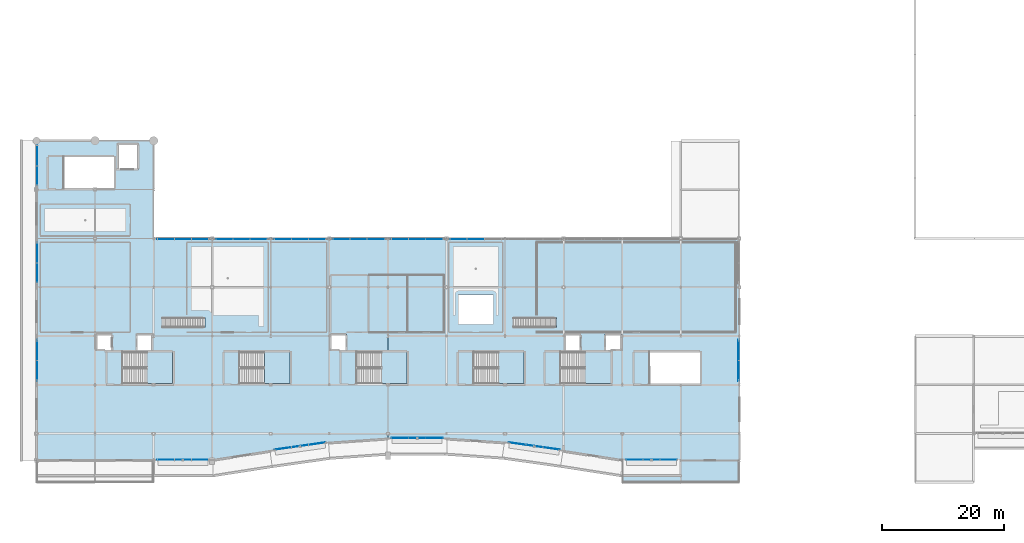
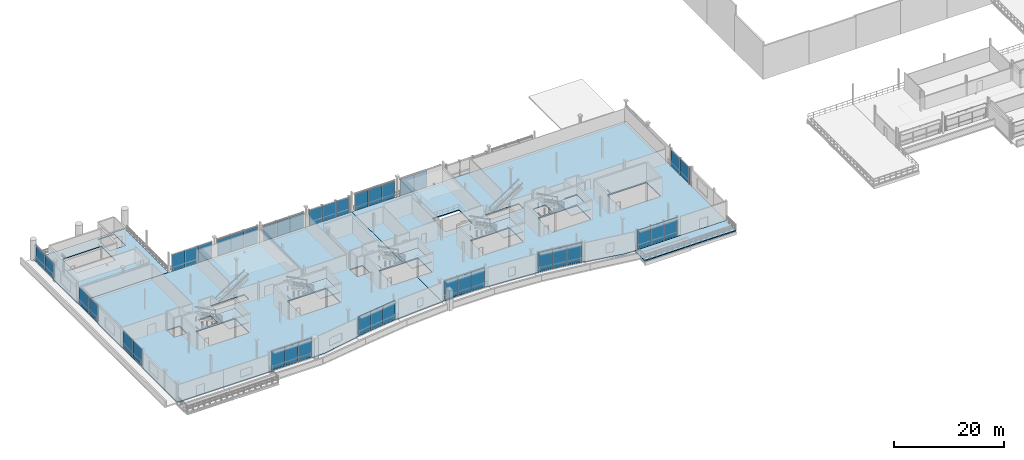
# One storey, part 34 of 59: 40 plates, 9 slabs, 20 elements without a shape of their own.
"""IFC4 building model written with IfcOpenShell, lengths in metres."""

from ifc_helpers import new_model, si_unit, direction, frame, origin, origin_2d, place, context, subcontext, project, spatial, polyline, rectangle, outline, extrude, material, layer, layer_set, type_object, element, aggregate, save


model = new_model("IFC4")

# Units and contexts
model_context = context("Model", 3, precision=1e-05, world=origin(), true_north=direction((0.0, 1.0)))
body_context = subcontext(model_context, "Body", "Model", "MODEL_VIEW")
ifc_project = project(units=[si_unit("LENGTHUNIT", "METRE"), si_unit("AREAUNIT", "SQUARE_METRE"), si_unit("VOLUMEUNIT", "CUBIC_METRE"), si_unit("PLANEANGLEUNIT", "RADIAN"), si_unit("MASSUNIT", "GRAM", prefix="KILO")], contexts=[model_context])

# Site, building, storey
site_placement = place(None, origin())
site = spatial("IfcSite", under=ifc_project, at=site_placement, CompositionType="ELEMENT")
building_placement = place(site_placement, origin())
building = spatial("IfcBuilding", under=site, at=building_placement, Name="Danafjord Basin Convention Centre", CompositionType="ELEMENT")
storey_placement = place(building_placement, frame((0.0, 0.0, 15.89990234375)))
storey = spatial("IfcBuildingStorey", under=building, at=storey_placement, Name="L03", CompositionType="ELEMENT", Elevation=15.89990234375)

# Curtain wall, plates
ifc_material_1 = material(Name="Anodised aluminium and triple glazing", Category="aluminium")
curtain_wall_type = type_object("IfcCurtainWallType", Name="CW-CW-TERR", PredefinedType="NOTDEFINED", material=ifc_material_1)
curtain_wall_1_placement = place(storey_placement, origin())
curtain_wall_1 = element("IfcCurtainWall", 1, at=curtain_wall_1_placement, inside=storey, type_object=curtain_wall_type, Name="L03 CW-TERR unitised curtain wall bay 28", PredefinedType="NOTDEFINED")
ifc_material_2 = material(Name="Triple low-E insulated glazing", Category="glass")
ifc_layer_1 = layer(ifc_material_2, 0.0380859375)
ifc_layer_set_1 = layer_set([ifc_layer_1], Name="Triple low-E insulated glazing")
plate_type_1 = type_object("IfcPlateType", Name="PLT-GP-38", PredefinedType="CURTAIN_PANEL", material=ifc_layer_set_1)
plate_1_placement = place(storey_placement, frame((21.199951171875, 3.719970703125, 0.08837890625), z_axis=(0.0, 0.0, 1.0), x_axis=(1.0, 0.0, 0.0)))
plate_1 = element("IfcPlate", 2, at=plate_1_placement, type_object=plate_type_1, Name="CW-L03-028 vision glazing unit 1", PredefinedType="CURTAIN_PANEL", context=body_context, shape_type="SweptSolid", body=[
    extrude(rectangle(XDim=2.743896484375, YDim=0.0380859375, at=origin_2d()), origin(), (0.0, 0.0, 1.0), 4.097900390625),
])
plate_2_placement = place(storey_placement, frame((24.0, 3.719970703125, 0.08837890625), z_axis=(0.0, 0.0, 1.0), x_axis=(1.0, 0.0, 0.0)))
plate_2 = element("IfcPlate", 3, at=plate_2_placement, type_object=plate_type_1, Name="CW-L03-028 vision glazing unit 2", PredefinedType="CURTAIN_PANEL", context=body_context, shape_type="SweptSolid", body=[
    extrude(rectangle(XDim=2.743896484375, YDim=0.0380859375, at=origin_2d()), origin(), (0.0, 0.0, 1.0), 4.097900390625),
])
plate_3_placement = place(storey_placement, frame((26.800048828125, 3.719970703125, 0.08837890625), z_axis=(0.0, 0.0, 1.0), x_axis=(1.0, 0.0, 0.0)))
plate_3 = element("IfcPlate", 4, at=plate_3_placement, type_object=plate_type_1, Name="CW-L03-028 vision glazing unit 3", PredefinedType="CURTAIN_PANEL", context=body_context, shape_type="SweptSolid", body=[
    extrude(rectangle(XDim=2.743896484375, YDim=0.0380859375, at=origin_2d()), origin(), (0.0, 0.0, 1.0), 4.097900390625),
])
aggregate(curtain_wall_1, [plate_1, plate_2, plate_3])

curtain_wall_2_placement = place(storey_placement, origin())
curtain_wall_2 = element("IfcCurtainWall", 5, at=curtain_wall_2_placement, inside=storey, type_object=curtain_wall_type, Name="L03 CW-TERR unitised curtain wall bay 30", PredefinedType="NOTDEFINED")
plate_4_placement = place(storey_placement, frame((59.60009765625, 7.300048828125, 0.08837890625), z_axis=(0.0, 0.0, 1.0), x_axis=(1.0, 0.0, 0.0)))
plate_4 = element("IfcPlate", 6, at=plate_4_placement, type_object=plate_type_1, Name="CW-L03-030 vision glazing unit 1", PredefinedType="CURTAIN_PANEL", context=body_context, shape_type="SweptSolid", body=[
    extrude(rectangle(XDim=2.743896484375, YDim=0.0380859375, at=origin_2d()), origin(), (0.0, 0.0, 1.0), 4.097900390625),
])
plate_5_placement = place(storey_placement, frame((62.39990234375, 7.300048828125, 0.08837890625), z_axis=(0.0, 0.0, 1.0), x_axis=(1.0, 0.0, 0.0)))
plate_5 = element("IfcPlate", 7, at=plate_5_placement, type_object=plate_type_1, Name="CW-L03-030 vision glazing unit 2", PredefinedType="CURTAIN_PANEL", context=body_context, shape_type="SweptSolid", body=[
    extrude(rectangle(XDim=2.743896484375, YDim=0.0380859375, at=origin_2d()), origin(), (0.0, 0.0, 1.0), 4.097900390625),
])
plate_6_placement = place(storey_placement, frame((65.199951171875, 7.300048828125, 0.08837890625), z_axis=(0.0, 0.0, 1.0), x_axis=(1.0, 0.0, 0.0)))
plate_6 = element("IfcPlate", 8, at=plate_6_placement, type_object=plate_type_1, Name="CW-L03-030 vision glazing unit 3", PredefinedType="CURTAIN_PANEL", context=body_context, shape_type="SweptSolid", body=[
    extrude(rectangle(XDim=2.743896484375, YDim=0.0380859375, at=origin_2d()), origin(), (0.0, 0.0, 1.0), 4.097900390625),
])
aggregate(curtain_wall_2, [plate_4, plate_5, plate_6])

curtain_wall_3_placement = place(storey_placement, origin())
curtain_wall_3 = element("IfcCurtainWall", 9, at=curtain_wall_3_placement, inside=storey, type_object=curtain_wall_type, Name="L03 CW-TERR unitised curtain wall bay 32", PredefinedType="NOTDEFINED")
plate_7_placement = place(storey_placement, frame((98.0, 3.719970703125, 0.08837890625), z_axis=(0.0, 0.0, 1.0), x_axis=(1.0, 0.0, 0.0)))
plate_7 = element("IfcPlate", 10, at=plate_7_placement, type_object=plate_type_1, Name="CW-L03-032 vision glazing unit 1", PredefinedType="CURTAIN_PANEL", context=body_context, shape_type="SweptSolid", body=[
    extrude(rectangle(XDim=2.743896484375, YDim=0.0380859375, at=origin_2d()), origin(), (0.0, 0.0, 1.0), 4.097900390625),
])
plate_8_placement = place(storey_placement, frame((100.800048828125, 3.719970703125, 0.08837890625), z_axis=(0.0, 0.0, 1.0), x_axis=(1.0, 0.0, 0.0)))
plate_8 = element("IfcPlate", 11, at=plate_8_placement, type_object=plate_type_1, Name="CW-L03-032 vision glazing unit 2", PredefinedType="CURTAIN_PANEL", context=body_context, shape_type="SweptSolid", body=[
    extrude(rectangle(XDim=2.743896484375, YDim=0.0380859375, at=origin_2d()), origin(), (0.0, 0.0, 1.0), 4.097900390625),
])
plate_9_placement = place(storey_placement, frame((103.60009765625, 3.719970703125, 0.08837890625), z_axis=(0.0, 0.0, 1.0), x_axis=(1.0, 0.0, 0.0)))
plate_9 = element("IfcPlate", 12, at=plate_9_placement, type_object=plate_type_1, Name="CW-L03-032 vision glazing unit 3", PredefinedType="CURTAIN_PANEL", context=body_context, shape_type="SweptSolid", body=[
    extrude(rectangle(XDim=2.743896484375, YDim=0.0380859375, at=origin_2d()), origin(), (0.0, 0.0, 1.0), 4.097900390625),
])
aggregate(curtain_wall_3, [plate_7, plate_8, plate_9])

curtain_wall_4_placement = place(storey_placement, origin())
curtain_wall_4 = element("IfcCurtainWall", 13, at=curtain_wall_4_placement, inside=storey, type_object=curtain_wall_type, Name="L03 CW-TERR unitised curtain wall bay 74", PredefinedType="NOTDEFINED")
plate_10_placement = place(storey_placement, frame((26.800048828125, 39.8798828125, 0.087890625), z_axis=(0.0, 0.0, 1.0), x_axis=(-1.0, 0.0, 0.0)))
plate_10 = element("IfcPlate", 14, at=plate_10_placement, type_object=plate_type_1, Name="CW-L03-074 vision glazing unit 1", PredefinedType="CURTAIN_PANEL", context=body_context, shape_type="SweptSolid", body=[
    extrude(rectangle(XDim=2.743896484375, YDim=0.0380859375, at=origin_2d()), origin(), (0.0, 0.0, 1.0), 3.658935546875),
])
plate_11_placement = place(storey_placement, frame((24.0, 39.8798828125, 0.087890625), z_axis=(0.0, 0.0, 1.0), x_axis=(-1.0, 0.0, 0.0)))
plate_11 = element("IfcPlate", 15, at=plate_11_placement, type_object=plate_type_1, Name="CW-L03-074 vision glazing unit 2", PredefinedType="CURTAIN_PANEL", context=body_context, shape_type="SweptSolid", body=[
    extrude(rectangle(XDim=2.743896484375, YDim=0.0380859375, at=origin_2d()), origin(), (0.0, 0.0, 1.0), 3.658935546875),
])
plate_12_placement = place(storey_placement, frame((21.199951171875, 39.8798828125, 0.087890625), z_axis=(0.0, 0.0, 1.0), x_axis=(-1.0, 0.0, 0.0)))
plate_12 = element("IfcPlate", 16, at=plate_12_placement, type_object=plate_type_1, Name="CW-L03-074 vision glazing unit 3", PredefinedType="CURTAIN_PANEL", context=body_context, shape_type="SweptSolid", body=[
    extrude(rectangle(XDim=2.743896484375, YDim=0.0380859375, at=origin_2d()), origin(), (0.0, 0.0, 1.0), 3.658935546875),
])
aggregate(curtain_wall_4, [plate_10, plate_11, plate_12])

curtain_wall_5_placement = place(storey_placement, origin())
curtain_wall_5 = element("IfcCurtainWall", 17, at=curtain_wall_5_placement, inside=storey, type_object=curtain_wall_type, Name="L03 CW-TERR unitised curtain wall bay 76", PredefinedType="NOTDEFINED")
plate_13_placement = place(storey_placement, frame((46.0, 39.8798828125, 0.087890625), z_axis=(0.0, 0.0, 1.0), x_axis=(-1.0, 0.0, 0.0)))
plate_13 = element("IfcPlate", 18, at=plate_13_placement, type_object=plate_type_1, Name="CW-L03-076 vision glazing unit 1", PredefinedType="CURTAIN_PANEL", context=body_context, shape_type="SweptSolid", body=[
    extrude(rectangle(XDim=2.743896484375, YDim=0.0380859375, at=origin_2d()), origin(), (0.0, 0.0, 1.0), 3.280029296875),
])
plate_14_placement = place(storey_placement, frame((43.199951171875, 39.8798828125, 0.087890625), z_axis=(0.0, 0.0, 1.0), x_axis=(-1.0, 0.0, 0.0)))
plate_14 = element("IfcPlate", 19, at=plate_14_placement, type_object=plate_type_1, Name="CW-L03-076 vision glazing unit 2", PredefinedType="CURTAIN_PANEL", context=body_context, shape_type="SweptSolid", body=[
    extrude(rectangle(XDim=2.743896484375, YDim=0.0380859375, at=origin_2d()), origin(), (0.0, 0.0, 1.0), 3.280029296875),
])
plate_15_placement = place(storey_placement, frame((40.39990234375, 39.8798828125, 0.087890625), z_axis=(0.0, 0.0, 1.0), x_axis=(-1.0, 0.0, 0.0)))
plate_15 = element("IfcPlate", 20, at=plate_15_placement, type_object=plate_type_1, Name="CW-L03-076 vision glazing unit 3", PredefinedType="CURTAIN_PANEL", context=body_context, shape_type="SweptSolid", body=[
    extrude(rectangle(XDim=2.743896484375, YDim=0.0380859375, at=origin_2d()), origin(), (0.0, 0.0, 1.0), 3.280029296875),
])
aggregate(curtain_wall_5, [plate_13, plate_14, plate_15])

curtain_wall_6_placement = place(storey_placement, origin())
curtain_wall_6 = element("IfcCurtainWall", 21, at=curtain_wall_6_placement, inside=storey, type_object=curtain_wall_type, Name="L03 CW-TERR unitised curtain wall bay 78", PredefinedType="NOTDEFINED")
plate_16_placement = place(storey_placement, frame((65.199951171875, 39.8798828125, 0.087890625), z_axis=(0.0, 0.0, 1.0), x_axis=(-1.0, 0.0, 0.0)))
plate_16 = element("IfcPlate", 22, at=plate_16_placement, type_object=plate_type_1, Name="CW-L03-078 vision glazing unit 1", PredefinedType="CURTAIN_PANEL", context=body_context, shape_type="SweptSolid", body=[
    extrude(rectangle(XDim=2.743896484375, YDim=0.0380859375, at=origin_2d()), origin(), (0.0, 0.0, 1.0), 3.679931640625),
])
plate_17_placement = place(storey_placement, frame((62.39990234375, 39.8798828125, 0.087890625), z_axis=(0.0, 0.0, 1.0), x_axis=(-1.0, 0.0, 0.0)))
plate_17 = element("IfcPlate", 23, at=plate_17_placement, type_object=plate_type_1, Name="CW-L03-078 vision glazing unit 2", PredefinedType="CURTAIN_PANEL", context=body_context, shape_type="SweptSolid", body=[
    extrude(rectangle(XDim=2.743896484375, YDim=0.0380859375, at=origin_2d()), origin(), (0.0, 0.0, 1.0), 3.679931640625),
])
plate_18_placement = place(storey_placement, frame((59.60009765625, 39.8798828125, 0.087890625), z_axis=(0.0, 0.0, 1.0), x_axis=(-1.0, 0.0, 0.0)))
plate_18 = element("IfcPlate", 24, at=plate_18_placement, type_object=plate_type_1, Name="CW-L03-078 vision glazing unit 3", PredefinedType="CURTAIN_PANEL", context=body_context, shape_type="SweptSolid", body=[
    extrude(rectangle(XDim=2.743896484375, YDim=0.0380859375, at=origin_2d()), origin(), (0.0, 0.0, 1.0), 3.679931640625),
])
aggregate(curtain_wall_6, [plate_16, plate_17, plate_18])

curtain_wall_7_placement = place(storey_placement, origin())
curtain_wall_7 = element("IfcCurtainWall", 25, at=curtain_wall_7_placement, inside=storey, type_object=curtain_wall_type, Name="L03 CW-TERR unitised curtain wall bay 82", PredefinedType="NOTDEFINED")
plate_19_placement = place(storey_placement, frame((0.1201171875, 21.699951171875, 0.087890625), z_axis=(0.0, 0.0, 1.0), x_axis=(0.0, -1.0, 0.0)))
plate_19 = element("IfcPlate", 26, at=plate_19_placement, type_object=plate_type_1, Name="CW-L03-082 vision glazing unit 1", PredefinedType="CURTAIN_PANEL", context=body_context, shape_type="SweptSolid", body=[
    extrude(rectangle(XDim=3.343994140625, YDim=0.0380859375, at=origin_2d()), origin(), (0.0, 0.0, 1.0), 3.679931640625),
])
plate_20_placement = place(storey_placement, frame((0.1201171875, 18.300048828125, 0.087890625), z_axis=(0.0, 0.0, 1.0), x_axis=(0.0, -1.0, 0.0)))
plate_20 = element("IfcPlate", 27, at=plate_20_placement, type_object=plate_type_1, Name="CW-L03-082 vision glazing unit 2", PredefinedType="CURTAIN_PANEL", context=body_context, shape_type="SweptSolid", body=[
    extrude(rectangle(XDim=3.343994140625, YDim=0.0380859375, at=origin_2d()), origin(), (0.0, 0.0, 1.0), 3.679931640625),
])
aggregate(curtain_wall_7, [plate_19, plate_20])

curtain_wall_8_placement = place(storey_placement, origin())
curtain_wall_8 = element("IfcCurtainWall", 28, at=curtain_wall_8_placement, inside=storey, type_object=curtain_wall_type, Name="L03 CW-TERR unitised curtain wall bay 84", PredefinedType="NOTDEFINED")
plate_21_placement = place(storey_placement, frame((0.1201171875, 53.550048828125, 0.087890625), z_axis=(0.0, 0.0, 1.0), x_axis=(0.0, -1.0, 0.0)))
plate_21 = element("IfcPlate", 29, at=plate_21_placement, type_object=plate_type_1, Name="CW-L03-084 vision glazing unit 1", PredefinedType="CURTAIN_PANEL", context=body_context, shape_type="SweptSolid", body=[
    extrude(rectangle(XDim=3.243896484375, YDim=0.0380859375, at=origin_2d()), origin(), (0.0, 0.0, 1.0), 3.239013671875),
])
plate_22_placement = place(storey_placement, frame((0.1201171875, 50.25, 0.087890625), z_axis=(0.0, 0.0, 1.0), x_axis=(0.0, -1.0, 0.0)))
plate_22 = element("IfcPlate", 30, at=plate_22_placement, type_object=plate_type_1, Name="CW-L03-084 vision glazing unit 2", PredefinedType="CURTAIN_PANEL", context=body_context, shape_type="SweptSolid", body=[
    extrude(rectangle(XDim=3.243896484375, YDim=0.0380859375, at=origin_2d()), origin(), (0.0, 0.0, 1.0), 3.239013671875),
])
aggregate(curtain_wall_8, [plate_21, plate_22])

curtain_wall_9_placement = place(storey_placement, origin())
curtain_wall_9 = element("IfcCurtainWall", 31, at=curtain_wall_9_placement, inside=storey, type_object=curtain_wall_type, Name="L03 CW-TERR unitised curtain wall bay 29", PredefinedType="NOTDEFINED")
ifc_layer_2 = layer(ifc_material_2, 0.048095703125)
ifc_layer_set_2 = layer_set([ifc_layer_2], Name="Triple low-E insulated glazing")
plate_type_2 = type_object("IfcPlateType", Name="PLT-GP-48", PredefinedType="CURTAIN_PANEL", material=ifc_layer_set_2)
plate_23_placement = place(storey_placement, frame((40.36962890625, 5.562255859375, 0.08837890625), z_axis=(0.0, 0.0, 1.0), x_axis=(0.990128157327, 0.140165017276, 0.0)))
plate_23 = element("IfcPlate", 32, at=plate_23_placement, type_object=plate_type_2, Name="CW-L03-029 vision glazing unit 1", PredefinedType="CURTAIN_PANEL", context=body_context, shape_type="SweptSolid", body=[
    extrude(rectangle(XDim=2.77587890625, YDim=0.048095703125, at=origin_2d()), origin(), (0.0, 0.0, 1.0), 4.097900390625),
])
plate_24_placement = place(storey_placement, frame((43.173583984375, 5.958984375, 0.08837890625), z_axis=(0.0, 0.0, 1.0), x_axis=(0.990128157327, 0.140165017276, 0.0)))
plate_24 = element("IfcPlate", 33, at=plate_24_placement, type_object=plate_type_2, Name="CW-L03-029 vision glazing unit 2", PredefinedType="CURTAIN_PANEL", context=body_context, shape_type="SweptSolid", body=[
    extrude(rectangle(XDim=2.77587890625, YDim=0.048095703125, at=origin_2d()), origin(), (0.0, 0.0, 1.0), 4.097900390625),
])
plate_25_placement = place(storey_placement, frame((45.9775390625, 6.35595703125, 0.08837890625), z_axis=(0.0, 0.0, 1.0), x_axis=(0.990128157327, 0.140165017276, 0.0)))
plate_25 = element("IfcPlate", 34, at=plate_25_placement, type_object=plate_type_2, Name="CW-L03-029 vision glazing unit 3", PredefinedType="CURTAIN_PANEL", context=body_context, shape_type="SweptSolid", body=[
    extrude(rectangle(XDim=2.77587890625, YDim=0.048095703125, at=origin_2d()), origin(), (0.0, 0.0, 1.0), 4.097900390625),
])
aggregate(curtain_wall_9, [plate_23, plate_24, plate_25])

curtain_wall_10_placement = place(storey_placement, origin())
curtain_wall_10 = element("IfcCurtainWall", 35, at=curtain_wall_10_placement, inside=storey, type_object=curtain_wall_type, Name="L03 CW-TERR unitised curtain wall bay 31", PredefinedType="NOTDEFINED")
plate_26_placement = place(storey_placement, frame((78.822509765625, 6.35595703125, 0.08837890625), z_axis=(0.0, 0.0, 1.0), x_axis=(0.990128157327, -0.140165017276, 0.0)))
plate_26 = element("IfcPlate", 36, at=plate_26_placement, type_object=plate_type_2, Name="CW-L03-031 vision glazing unit 1", PredefinedType="CURTAIN_PANEL", context=body_context, shape_type="SweptSolid", body=[
    extrude(rectangle(XDim=2.77587890625, YDim=0.048095703125, at=origin_2d()), origin(), (0.0, 0.0, 1.0), 4.097900390625),
])
plate_27_placement = place(storey_placement, frame((81.62646484375, 5.958984375, 0.08837890625), z_axis=(0.0, 0.0, 1.0), x_axis=(0.990128157327, -0.140165017276, 0.0)))
plate_27 = element("IfcPlate", 37, at=plate_27_placement, type_object=plate_type_2, Name="CW-L03-031 vision glazing unit 2", PredefinedType="CURTAIN_PANEL", context=body_context, shape_type="SweptSolid", body=[
    extrude(rectangle(XDim=2.77587890625, YDim=0.048095703125, at=origin_2d()), origin(), (0.0, 0.0, 1.0), 4.097900390625),
])
plate_28_placement = place(storey_placement, frame((84.430419921875, 5.562255859375, 0.08837890625), z_axis=(0.0, 0.0, 1.0), x_axis=(0.990128157327, -0.140165017276, 0.0)))
plate_28 = element("IfcPlate", 38, at=plate_28_placement, type_object=plate_type_2, Name="CW-L03-031 vision glazing unit 3", PredefinedType="CURTAIN_PANEL", context=body_context, shape_type="SweptSolid", body=[
    extrude(rectangle(XDim=2.77587890625, YDim=0.048095703125, at=origin_2d()), origin(), (0.0, 0.0, 1.0), 4.097900390625),
])
aggregate(curtain_wall_10, [plate_26, plate_27, plate_28])

curtain_wall_11_placement = place(storey_placement, origin())
curtain_wall_11 = element("IfcCurtainWall", 39, at=curtain_wall_11_placement, inside=storey, type_object=curtain_wall_type, Name="L03 CW-TERR unitised curtain wall bay 75", PredefinedType="NOTDEFINED")
plate_29_placement = place(storey_placement, frame((36.39990234375, 39.8798828125, 0.088134765625), z_axis=(0.0, 0.0, 1.0), x_axis=(-1.0, 0.0, 0.0)))
plate_29 = element("IfcPlate", 40, at=plate_29_placement, type_object=plate_type_2, Name="CW-L03-075 vision glazing unit 1", PredefinedType="CURTAIN_PANEL", context=body_context, shape_type="SweptSolid", body=[
    extrude(rectangle(XDim=2.743896484375, YDim=0.048095703125, at=origin_2d()), origin(), (0.0, 0.0, 1.0), 3.6298828125),
])
plate_30_placement = place(storey_placement, frame((33.60009765625, 39.8798828125, 0.088134765625), z_axis=(0.0, 0.0, 1.0), x_axis=(-1.0, 0.0, 0.0)))
plate_30 = element("IfcPlate", 41, at=plate_30_placement, type_object=plate_type_2, Name="CW-L03-075 vision glazing unit 2", PredefinedType="CURTAIN_PANEL", context=body_context, shape_type="SweptSolid", body=[
    extrude(rectangle(XDim=2.743896484375, YDim=0.048095703125, at=origin_2d()), origin(), (0.0, 0.0, 1.0), 3.6298828125),
])
plate_31_placement = place(storey_placement, frame((30.800048828125, 39.8798828125, 0.088134765625), z_axis=(0.0, 0.0, 1.0), x_axis=(-1.0, 0.0, 0.0)))
plate_31 = element("IfcPlate", 42, at=plate_31_placement, type_object=plate_type_2, Name="CW-L03-075 vision glazing unit 3", PredefinedType="CURTAIN_PANEL", context=body_context, shape_type="SweptSolid", body=[
    extrude(rectangle(XDim=2.743896484375, YDim=0.048095703125, at=origin_2d()), origin(), (0.0, 0.0, 1.0), 3.6298828125),
])
aggregate(curtain_wall_11, [plate_29, plate_30, plate_31])

curtain_wall_12_placement = place(storey_placement, origin())
curtain_wall_12 = element("IfcCurtainWall", 43, at=curtain_wall_12_placement, inside=storey, type_object=curtain_wall_type, Name="L03 CW-TERR unitised curtain wall bay 77", PredefinedType="NOTDEFINED")
plate_32_placement = place(storey_placement, frame((55.60009765625, 39.8798828125, 0.087890625), z_axis=(0.0, 0.0, 1.0), x_axis=(-1.0, 0.0, 0.0)))
plate_32 = element("IfcPlate", 44, at=plate_32_placement, type_object=plate_type_2, Name="CW-L03-077 vision glazing unit 1", PredefinedType="CURTAIN_PANEL", context=body_context, shape_type="SweptSolid", body=[
    extrude(rectangle(XDim=2.743896484375, YDim=0.048095703125, at=origin_2d()), origin(), (0.0, 0.0, 1.0), 3.429931640625),
])
plate_33_placement = place(storey_placement, frame((52.800048828125, 39.8798828125, 0.087890625), z_axis=(0.0, 0.0, 1.0), x_axis=(-1.0, 0.0, 0.0)))
plate_33 = element("IfcPlate", 45, at=plate_33_placement, type_object=plate_type_2, Name="CW-L03-077 vision glazing unit 2", PredefinedType="CURTAIN_PANEL", context=body_context, shape_type="SweptSolid", body=[
    extrude(rectangle(XDim=2.743896484375, YDim=0.048095703125, at=origin_2d()), origin(), (0.0, 0.0, 1.0), 3.429931640625),
])
plate_34_placement = place(storey_placement, frame((50.0, 39.8798828125, 0.087890625), z_axis=(0.0, 0.0, 1.0), x_axis=(-1.0, 0.0, 0.0)))
plate_34 = element("IfcPlate", 46, at=plate_34_placement, type_object=plate_type_2, Name="CW-L03-077 vision glazing unit 3", PredefinedType="CURTAIN_PANEL", context=body_context, shape_type="SweptSolid", body=[
    extrude(rectangle(XDim=2.743896484375, YDim=0.048095703125, at=origin_2d()), origin(), (0.0, 0.0, 1.0), 3.429931640625),
])
aggregate(curtain_wall_12, [plate_32, plate_33, plate_34])

curtain_wall_13_placement = place(storey_placement, origin())
curtain_wall_13 = element("IfcCurtainWall", 47, at=curtain_wall_13_placement, inside=storey, type_object=curtain_wall_type, Name="L03 CW-TERR unitised curtain wall bay 79", PredefinedType="NOTDEFINED")
plate_35_placement = place(storey_placement, frame((72.0, 39.8798828125, 0.088134765625), z_axis=(0.0, 0.0, 1.0), x_axis=(-1.0, 0.0, 0.0)))
plate_35 = element("IfcPlate", 48, at=plate_35_placement, type_object=plate_type_2, Name="CW-L03-079 vision glazing unit 2", PredefinedType="CURTAIN_PANEL", context=body_context, shape_type="SweptSolid", body=[
    extrude(rectangle(XDim=2.743896484375, YDim=0.048095703125, at=origin_2d()), origin(), (0.0, 0.0, 1.0), 3.6298828125),
])
plate_36_placement = place(storey_placement, frame((69.199951171875, 39.8798828125, 0.088134765625), z_axis=(0.0, 0.0, 1.0), x_axis=(-1.0, 0.0, 0.0)))
plate_36 = element("IfcPlate", 49, at=plate_36_placement, type_object=plate_type_2, Name="CW-L03-079 vision glazing unit 3", PredefinedType="CURTAIN_PANEL", context=body_context, shape_type="SweptSolid", body=[
    extrude(rectangle(XDim=2.743896484375, YDim=0.048095703125, at=origin_2d()), origin(), (0.0, 0.0, 1.0), 3.6298828125),
])
aggregate(curtain_wall_13, [plate_35, plate_36])

curtain_wall_14_placement = place(storey_placement, origin())
curtain_wall_14 = element("IfcCurtainWall", 50, at=curtain_wall_14_placement, inside=storey, type_object=curtain_wall_type, Name="L03 CW-TERR unitised curtain wall bay 83", PredefinedType="NOTDEFINED")
plate_37_placement = place(storey_placement, frame((0.1201171875, 37.699951171875, 0.087890625), z_axis=(0.0, 0.0, 1.0), x_axis=(0.0, -1.0, 0.0)))
plate_37 = element("IfcPlate", 51, at=plate_37_placement, type_object=plate_type_2, Name="CW-L03-083 vision glazing unit 1", PredefinedType="CURTAIN_PANEL", context=body_context, shape_type="SweptSolid", body=[
    extrude(rectangle(XDim=3.343994140625, YDim=0.048095703125, at=origin_2d()), origin(), (0.0, 0.0, 1.0), 3.658935546875),
])
plate_38_placement = place(storey_placement, frame((0.1201171875, 34.300048828125, 0.087890625), z_axis=(0.0, 0.0, 1.0), x_axis=(0.0, -1.0, 0.0)))
plate_38 = element("IfcPlate", 52, at=plate_38_placement, type_object=plate_type_2, Name="CW-L03-083 vision glazing unit 2", PredefinedType="CURTAIN_PANEL", context=body_context, shape_type="SweptSolid", body=[
    extrude(rectangle(XDim=3.343994140625, YDim=0.048095703125, at=origin_2d()), origin(), (0.0, 0.0, 1.0), 3.658935546875),
])
aggregate(curtain_wall_14, [plate_37, plate_38])

curtain_wall_15_placement = place(storey_placement, origin())
curtain_wall_15 = element("IfcCurtainWall", 53, at=curtain_wall_15_placement, inside=storey, type_object=curtain_wall_type, Name="L03 CW-TERR unitised curtain wall bay 85", PredefinedType="NOTDEFINED")
plate_39_placement = place(storey_placement, frame((115.080078125, 18.300048828125, 0.087890625), z_axis=(0.0, 0.0, 1.0), x_axis=(0.0, 1.0, 0.0)))
plate_39 = element("IfcPlate", 54, at=plate_39_placement, type_object=plate_type_2, Name="CW-L03-085 vision glazing unit 1", PredefinedType="CURTAIN_PANEL", context=body_context, shape_type="SweptSolid", body=[
    extrude(rectangle(XDim=3.343994140625, YDim=0.048095703125, at=origin_2d()), origin(), (0.0, 0.0, 1.0), 3.677978515625),
])
plate_40_placement = place(storey_placement, frame((115.080078125, 21.699951171875, 0.087890625), z_axis=(0.0, 0.0, 1.0), x_axis=(0.0, 1.0, 0.0)))
plate_40 = element("IfcPlate", 55, at=plate_40_placement, type_object=plate_type_2, Name="CW-L03-085 vision glazing unit 2", PredefinedType="CURTAIN_PANEL", context=body_context, shape_type="SweptSolid", body=[
    extrude(rectangle(XDim=3.343994140625, YDim=0.048095703125, at=origin_2d()), origin(), (0.0, 0.0, 1.0), 3.677978515625),
])
aggregate(curtain_wall_15, [plate_39, plate_40])

# Slabs
ifc_material_3 = material(Name="Concrete C35/45", Category="concrete")
ifc_layer_3 = layer(ifc_material_3, 0.22998046875)
ifc_layer_set_3 = layer_set([ifc_layer_3], Name="Concrete C35/45")
slab_type_1 = type_object("IfcSlabType", Name="SLAB-FS-230", PredefinedType="FLOOR", material=ifc_layer_set_3)
slab_1_placement = place(storey_placement, frame((0.0, 0.0, -0.22998046875)))
element("IfcSlab", 56, at=slab_1_placement, inside=storey, type_object=slab_type_1, Name="L03 FS-230 slab SL-L03-V4W", PredefinedType="FLOOR", context=body_context, shape_type="SweptSolid", body=[
    extrude(outline(polyline([(57.60009765625, 40.0), (57.60009765625, 21.35009765625), (52.530029296875, 21.35009765625), (52.530029296875, 16.2099609375), (57.60009765625, 16.2099609375), (57.60009765625, 7.116943359375), (55.199951171875, 7.013916015625), (52.800048828125, 6.868896484375), (50.39990234375, 6.681884765625), (48.0, 6.451904296875), (45.60009765625, 6.178955078125), (43.199951171875, 5.862060546875), (40.800048828125, 5.5009765625), (38.39990234375, 5.093017578125), (36.0, 4.638916015625), (33.60009765625, 4.136962890625), (31.199951171875, 3.60009765625), (0.0, 3.60009765625), (0.0, 40.0), (57.60009765625, 40.0)]), holes=[polyline([(48.199951171875, 24.300048828125), (48.199951171875, 21.699951171875), (50.800048828125, 21.699951171875), (50.800048828125, 24.300048828125), (48.199951171875, 24.300048828125)]), polyline([(33.330078125, 21.35009765625), (33.330078125, 16.2099609375), (41.530029296875, 16.2099609375), (41.530029296875, 21.35009765625), (33.330078125, 21.35009765625)]), polyline([(20.60009765625, 27.02490234375), (20.60009765625, 25.375), (27.60009765625, 25.375), (27.60009765625, 27.02490234375), (20.60009765625, 27.02490234375)]), polyline([(14.1298828125, 16.2099609375), (22.330078125, 16.2099609375), (22.330078125, 21.35009765625), (14.1298828125, 21.35009765625), (14.1298828125, 16.2099609375)]), polyline([(16.39990234375, 24.300048828125), (16.39990234375, 21.699951171875), (19.0, 21.699951171875), (19.0, 24.300048828125), (16.39990234375, 24.300048828125)]), polyline([(12.39990234375, 24.300048828125), (9.800048828125, 24.300048828125), (9.800048828125, 21.699951171875), (12.39990234375, 21.699951171875), (12.39990234375, 24.300048828125)])]), origin(), (0.0, 0.0, 1.0), 0.22998046875),
])
slab_2_placement = place(storey_placement, frame((0.0, 0.0, -0.22998046875)))
element("IfcSlab", 57, at=slab_2_placement, inside=storey, type_object=slab_type_1, Name="L03 FS-230 slab SL-L03-V4E", PredefinedType="FLOOR", context=body_context, shape_type="SweptSolid", body=[
    extrude(outline(polyline([(60.72998046875, 16.2099609375), (60.72998046875, 21.35009765625), (57.60009765625, 21.35009765625), (57.60009765625, 40.0), (115.199951171875, 40.0), (115.199951171875, 3.60009765625), (93.60009765625, 3.60009765625), (91.199951171875, 4.136962890625), (88.800048828125, 4.638916015625), (86.39990234375, 5.093017578125), (84.0, 5.5009765625), (81.60009765625, 5.862060546875), (79.199951171875, 6.178955078125), (76.800048828125, 6.451904296875), (74.39990234375, 6.681884765625), (72.0, 6.868896484375), (69.60009765625, 7.013916015625), (67.199951171875, 7.116943359375), (64.800048828125, 7.178955078125), (62.39990234375, 7.199951171875), (60.0, 7.178955078125), (57.60009765625, 7.116943359375), (57.60009765625, 16.2099609375), (60.72998046875, 16.2099609375)]), holes=[polyline([(108.72998046875, 21.35009765625), (100.530029296875, 21.35009765625), (100.530029296875, 16.2099609375), (108.72998046875, 16.2099609375), (108.72998046875, 21.35009765625)]), polyline([(93.199951171875, 24.300048828125), (93.199951171875, 21.699951171875), (95.800048828125, 21.699951171875), (95.800048828125, 24.300048828125), (93.199951171875, 24.300048828125)]), polyline([(94.1298828125, 21.35009765625), (85.929931640625, 21.35009765625), (85.929931640625, 16.2099609375), (94.1298828125, 16.2099609375), (94.1298828125, 21.35009765625)]), polyline([(86.60009765625, 24.300048828125), (86.60009765625, 21.699951171875), (89.199951171875, 21.699951171875), (89.199951171875, 24.300048828125), (86.60009765625, 24.300048828125)]), polyline([(78.199951171875, 27.02490234375), (78.199951171875, 25.375), (85.199951171875, 25.375), (85.199951171875, 27.02490234375), (78.199951171875, 27.02490234375)]), polyline([(71.72998046875, 16.2099609375), (79.929931640625, 16.2099609375), (79.929931640625, 21.35009765625), (71.72998046875, 21.35009765625), (71.72998046875, 16.2099609375)]), polyline([(69.199951171875, 30.800048828125), (69.199951171875, 26.0), (74.800048828125, 26.0), (74.800048828125, 30.800048828125), (69.199951171875, 30.800048828125)])]), origin(), (0.0, 0.0, 1.0), 0.22998046875),
])
slab_3_placement = place(storey_placement, frame((0.0, 0.0, -0.22998046875)))
element("IfcSlab", 58, at=slab_3_placement, inside=storey, type_object=slab_type_1, Name="L03 FS-230 slab SL-L03-C4", PredefinedType="FLOOR", context=body_context, shape_type="SweptSolid", body=[
    extrude(outline(polyline([(0.0, 56.0), (19.199951171875, 56.0), (19.199951171875, 40.0), (0.0, 40.0), (0.0, 56.0)]), holes=[polyline([(13.300048828125, 51.300048828125), (16.699951171875, 51.300048828125), (16.699951171875, 55.5), (13.300048828125, 55.5), (13.300048828125, 51.300048828125)]), polyline([(4.530029296875, 48.2099609375), (12.72998046875, 48.2099609375), (12.72998046875, 53.35009765625), (4.530029296875, 53.35009765625), (4.530029296875, 48.2099609375)])]), origin(), (0.0, 0.0, 1.0), 0.22998046875),
])

# Stair, slab
ifc_material_4 = material(Name="Concrete C40/50", Category="concrete")
stair_type = type_object("IfcStairType", Name="STAIR-STR-C01", PredefinedType="TWO_STRAIGHT_RUN_STAIR", material=ifc_material_4)
stair_1_placement = place(storey_placement, origin())
stair_1 = element("IfcStair", 59, at=stair_1_placement, inside=storey, type_object=stair_type, Name="L03 West Harbour Core Stair 1", PredefinedType="HALF_TURN_STAIR")
ifc_layer_4 = layer(ifc_material_4, 0.199951171875)
ifc_layer_set_4 = layer_set([ifc_layer_4], Name="Concrete C40/50")
slab_type_2 = type_object("IfcSlabType", Name="SLAB-LAND-200", PredefinedType="LANDING", material=ifc_layer_set_4)
slab_4_placement = place(storey_placement, frame((0.0, 0.0, 2.050048828125)))
slab_4 = element("IfcSlab", 60, at=slab_4_placement, type_object=slab_type_2, Name="ST-01 landing 1", PredefinedType="LANDING", context=body_context, shape_type="SweptSolid", body=[
    extrude(outline(polyline([(18.14501953125, 16.2099609375), (22.330078125, 16.2099609375), (22.330078125, 21.35009765625), (18.14501953125, 21.35009765625), (18.14501953125, 16.2099609375)])), origin(), (0.0, 0.0, 1.0), 0.199951171875),
])
aggregate(stair_1, [slab_4])

stair_2_placement = place(storey_placement, origin())
stair_2 = element("IfcStair", 61, at=stair_2_placement, inside=storey, type_object=stair_type, Name="L03 Central Harbour Core Stair 1", PredefinedType="HALF_TURN_STAIR")
slab_5_placement = place(storey_placement, frame((0.0, 0.0, 2.050048828125)))
slab_5 = element("IfcSlab", 62, at=slab_5_placement, type_object=slab_type_2, Name="ST-03 landing 1", PredefinedType="LANDING", context=body_context, shape_type="SweptSolid", body=[
    extrude(outline(polyline([(89.945068359375, 16.2099609375), (94.1298828125, 16.2099609375), (94.1298828125, 21.35009765625), (89.945068359375, 21.35009765625), (89.945068359375, 16.2099609375)])), origin(), (0.0, 0.0, 1.0), 0.199951171875),
])
aggregate(stair_2, [slab_5])

stair_3_placement = place(storey_placement, origin())
stair_3 = element("IfcStair", 63, at=stair_3_placement, inside=storey, type_object=stair_type, Name="L03 Mid-Arc Meeting Core Stair 1", PredefinedType="HALF_TURN_STAIR")
slab_6_placement = place(storey_placement, frame((0.0, 0.0, 2.050048828125)))
slab_6 = element("IfcSlab", 64, at=slab_6_placement, type_object=slab_type_2, Name="ST-05 landing 1", PredefinedType="LANDING", context=body_context, shape_type="SweptSolid", body=[
    extrude(outline(polyline([(56.544921875, 16.2099609375), (60.72998046875, 16.2099609375), (60.72998046875, 21.35009765625), (56.544921875, 21.35009765625), (56.544921875, 16.2099609375)])), origin(), (0.0, 0.0, 1.0), 0.199951171875),
])
aggregate(stair_3, [slab_6])

stair_4_placement = place(storey_placement, origin())
stair_4 = element("IfcStair", 65, at=stair_4_placement, inside=storey, type_object=stair_type, Name="L03 West Harbour Escape Stair 2", PredefinedType="HALF_TURN_STAIR")
slab_7_placement = place(storey_placement, frame((0.0, 0.0, 2.050048828125)))
slab_7 = element("IfcSlab", 66, at=slab_7_placement, type_object=slab_type_2, Name="ST-02 landing 1", PredefinedType="LANDING", context=body_context, shape_type="SweptSolid", body=[
    extrude(outline(polyline([(37.344970703125, 16.2099609375), (41.530029296875, 16.2099609375), (41.530029296875, 21.35009765625), (37.344970703125, 21.35009765625), (37.344970703125, 16.2099609375)])), origin(), (0.0, 0.0, 1.0), 0.199951171875),
])
aggregate(stair_4, [slab_7])

stair_5_placement = place(storey_placement, origin())
stair_5 = element("IfcStair", 67, at=stair_5_placement, inside=storey, type_object=stair_type, Name="L03 Mid-Arc Escape Stair 2", PredefinedType="HALF_TURN_STAIR")
slab_8_placement = place(storey_placement, frame((0.0, 0.0, 2.050048828125)))
slab_8 = element("IfcSlab", 68, at=slab_8_placement, type_object=slab_type_2, Name="ST-06 landing 1", PredefinedType="LANDING", context=body_context, shape_type="SweptSolid", body=[
    extrude(outline(polyline([(75.7451171875, 16.2099609375), (79.929931640625, 16.2099609375), (79.929931640625, 21.35009765625), (75.7451171875, 21.35009765625), (75.7451171875, 16.2099609375)])), origin(), (0.0, 0.0, 1.0), 0.199951171875),
])
aggregate(stair_5, [slab_8])

# Slab
ifc_material_5 = material(Name="Precast concrete C40/50", Category="concrete")
ifc_layer_5 = layer(ifc_material_5, 0.22607421875)
ifc_layer_set_5 = layer_set([ifc_layer_5], Name="Precast concrete C40/50")
slab_type_3 = type_object("IfcSlabType", Name="SLAB-TR-180", PredefinedType="FLOOR", material=ifc_layer_set_5)
slab_9_placement = place(storey_placement, frame((0.0, 0.0, -0.225830078125)))
element("IfcSlab", 69, at=slab_9_placement, inside=storey, type_object=slab_type_3, Name="L03 TR-180 slab SL-L03-TER-E", PredefinedType="FLOOR", context=body_context, shape_type="SweptSolid", body=[
    extrude(outline(polyline([(96.0, 0.0), (96.0, 3.60009765625), (115.199951171875, 3.60009765625), (115.199951171875, 0.0), (96.0, 0.0)])), origin(), (0.0, 0.0, 1.0), 0.225830078125),
])

save(model, "model.ifc")
